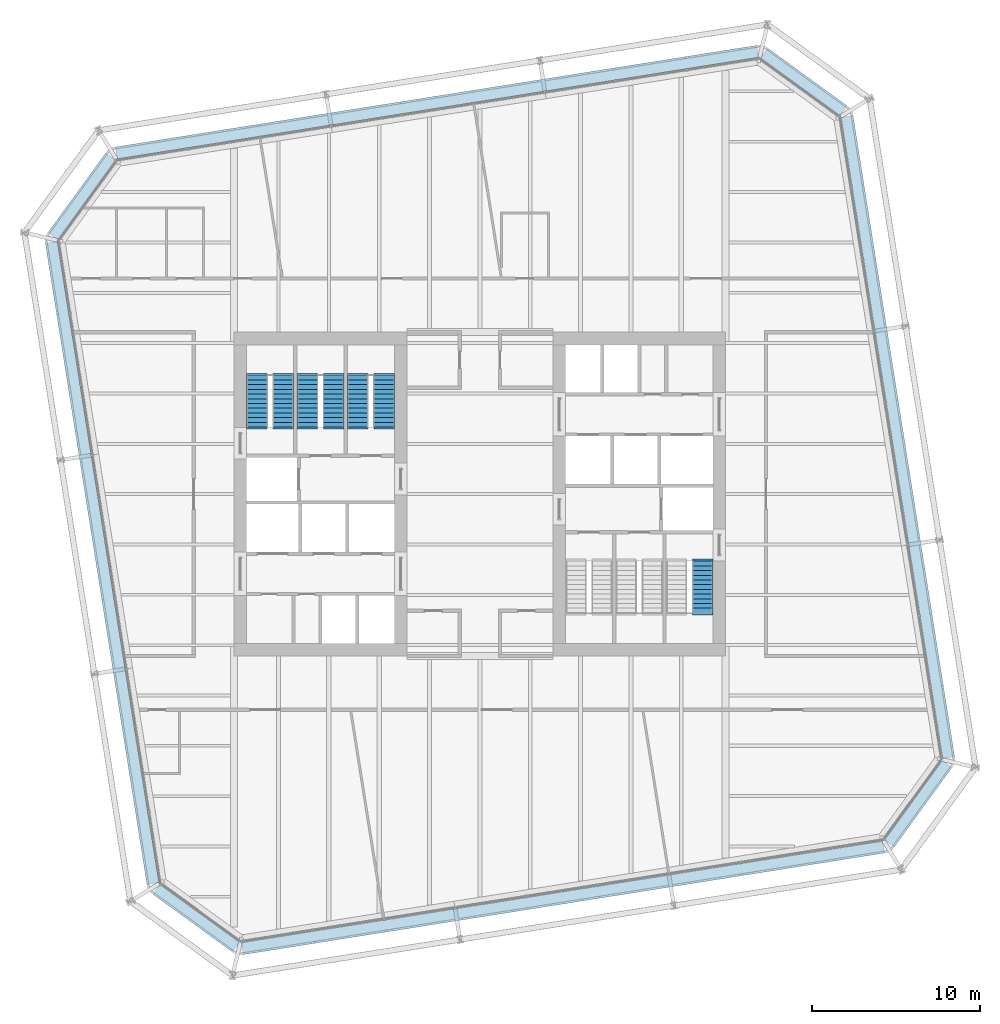
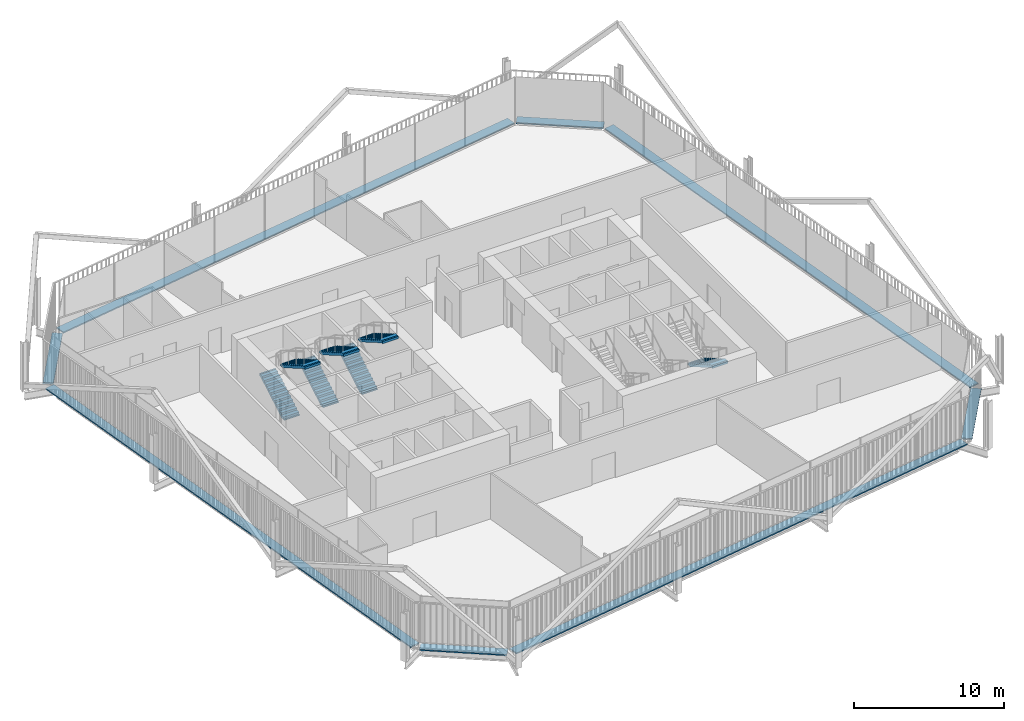
# One storey, part 21 of 22: 8 discrete accessories, 7 stair flights, 4 elements without a shape of their own.
"""IFC4 building model written with IfcOpenShell, lengths in metres."""

import ifcopenshell
import ifcopenshell.guid

model = None  # the IFC model being written
_history = None  # IfcOwnerHistory: only IFC2X3 demands one
_inside = {}  # id of a spatial element -> (the spatial element, [elements in it])
_under = {}  # id of a project, library or spatial element -> (it, [spatial elements below it])
_declared = {}  # id of a project -> (the project, [libraries it declares])
_typed = {}  # id of a type object -> (the type object, [elements of that type])
_made_of = {}  # id of a material, layer set ... -> (it, [elements and type objects made of it])


def new_model(schema):
    """Start an empty IFC model of exactly this schema.

    Asked for "IFC4X3", IfcOpenShell would pick the latest addendum, in which some entities
    have other attributes; the version numbers below select the first issue.
    IFC2X3 requires an IfcOwnerHistory on every rooted entity: one is made here for all.
    """
    global model, _history
    if schema == "IFC4X3":
        model = ifcopenshell.file(schema_version=(4, 3, 0, 0))
    else:
        model = ifcopenshell.file(schema=schema)
    _inside.clear()
    _under.clear()
    _declared.clear()
    _typed.clear()
    _made_of.clear()
    _history = None
    if model.schema == "IFC2X3":
        org = make("IfcOrganization", Name="unknown")
        user = make(
            "IfcPersonAndOrganization",
            ThePerson=make("IfcPerson", FamilyName="unknown"),
            TheOrganization=org,
        )
        app = make(
            "IfcApplication",
            ApplicationDeveloper=org,
            Version="unknown",
            ApplicationFullName="unknown",
            ApplicationIdentifier="unknown",
        )
        _history = make(
            "IfcOwnerHistory",
            OwningUser=user,
            OwningApplication=app,
            ChangeAction="ADDED",
            CreationDate=0,
        )
    return model


def make(cls, **values):
    """One entity of the class cls with the attributes given. An attribute that is None is left unset."""
    return model.create_entity(
        cls, **{name: value for name, value in values.items() if value is not None}
    )


def rooted(cls, **values):
    """An entity with a GlobalId (a new one), such as an element, a storey or a relation."""
    return make(cls, GlobalId=ifcopenshell.guid.new(), OwnerHistory=_history, **values)


def si_unit(unit_type, name, prefix=None):
    """IfcSIUnit, for example si_unit("LENGTHUNIT", "METRE", prefix="MILLI")."""
    return make("IfcSIUnit", UnitType=unit_type, Prefix=prefix, Name=name)


def assignment(units):
    """IfcUnitAssignment: the units of a project."""
    return None if units is None else make("IfcUnitAssignment", Units=units)


def point(xyz):
    """IfcCartesianPoint."""
    return None if xyz is None else make("IfcCartesianPoint", Coordinates=xyz)


def direction(xyz):
    """IfcDirection."""
    return None if xyz is None else make("IfcDirection", DirectionRatios=xyz)


def frame(location, z_axis=None, x_axis=None):
    """IfcAxis2Placement3D, a coordinate frame: its origin and axes. An axis left out is left unset."""
    return make(
        "IfcAxis2Placement3D",
        Location=point(location),
        Axis=direction(z_axis),
        RefDirection=direction(x_axis),
    )


def frame_2d(location, x_axis=None):
    """IfcAxis2Placement2D, a coordinate frame in the plane: its origin and x axis."""
    return make(
        "IfcAxis2Placement2D", Location=point(location), RefDirection=direction(x_axis)
    )


def origin():
    """The frame at (0, 0, 0) with its axes left unset."""
    return frame((0.0, 0.0, 0.0))


def origin_2d():
    """The frame at (0, 0) in the plane with its x axis left unset."""
    return frame_2d((0.0, 0.0))


def place(relative_to, where):
    """IfcLocalPlacement: puts the frame where relative to a parent placement (None: the world)."""
    return make(
        "IfcLocalPlacement", PlacementRelTo=relative_to, RelativePlacement=where
    )


def context(
    kind, dimensions, precision=None, world=None, true_north=None, identifier=None
):
    """IfcGeometricRepresentationContext, for example the 3D "Model" context."""
    return make(
        "IfcGeometricRepresentationContext",
        ContextIdentifier=identifier,
        ContextType=kind,
        CoordinateSpaceDimension=dimensions,
        Precision=precision,
        WorldCoordinateSystem=world,
        TrueNorth=true_north,
    )


def subcontext(parent, identifier, kind, view, scale=None):
    """IfcGeometricRepresentationSubContext, for example "Body" below "Model"."""
    return make(
        "IfcGeometricRepresentationSubContext",
        ContextIdentifier=identifier,
        ContextType=kind,
        ParentContext=parent,
        TargetScale=scale,
        TargetView=view,
    )


def project(units=None, contexts=None):
    """IfcProject with its units and contexts."""
    return rooted(
        "IfcProject",
        Name="project",
        RepresentationContexts=contexts,
        UnitsInContext=assignment(units),
    )


def spatial(cls, under=None, at=None, **own):
    """A site, building, storey or space (cls), placed at a placement, below another one or the project."""
    s = rooted(cls, ObjectPlacement=at, **own)
    if under is not None:
        _under.setdefault(under.id(), (under, []))[1].append(s)
    return s


def polyline(points):
    """IfcPolyline through the points."""
    return make("IfcPolyline", Points=[point(p) for p in points])


def profile(cls, at=None, kind="AREA", **sizes):
    """A parametric profile (cls). Its sizes go by their IFC names, for example OverallWidth=200.0."""
    return make(cls, ProfileType=kind, Position=at, **sizes)


def rectangle(**sizes):
    """IfcRectangleProfileDef."""
    return profile("IfcRectangleProfileDef", **sizes)


def outline(outer, holes=None, kind="AREA"):
    """IfcArbitraryClosedProfileDef: a profile drawn as a closed curve; with holes, ...WithVoids."""
    if holes is None:
        return make("IfcArbitraryClosedProfileDef", ProfileType=kind, OuterCurve=outer)
    return make(
        "IfcArbitraryProfileDefWithVoids",
        ProfileType=kind,
        OuterCurve=outer,
        InnerCurves=holes,
    )


def extrude(swept, where, along, depth):
    """IfcExtrudedAreaSolid: the profile swept, set in the frame where, extruded along a direction by depth."""
    return make(
        "IfcExtrudedAreaSolid",
        SweptArea=swept,
        Position=where,
        ExtrudedDirection=direction(along),
        Depth=depth,
    )


def shape(context_of_items, identifier, shape_type, items):
    """IfcShapeRepresentation: the items that make up one representation, for example the "Body"."""
    return make(
        "IfcShapeRepresentation",
        ContextOfItems=context_of_items,
        RepresentationIdentifier=identifier,
        RepresentationType=shape_type,
        Items=items,
    )


def material(Name=None, Category=None):
    """IfcMaterial."""
    return make("IfcMaterial", Name=Name, Category=Category)


def made_of(thing, what):
    """Note that an element or type object is made of a material, layer set ...; save() writes the relation."""
    if what is not None:
        _made_of.setdefault(what.id(), (what, []))[1].append(thing)
    return thing


def type_object(cls, material=None, **own):
    """A type object (cls), such as IfcWallType, which elements share."""
    return made_of(rooted(cls, **own), material)


def element(
    cls,
    number,
    at=None,
    inside=None,
    cuts=None,
    type_object=None,
    material=None,
    context=None,
    identifier="Body",
    shape_type=None,
    held_by="IfcProductDefinitionShape",
    body=None,
    shapes=None,
    **own,
):
    """One element of the class cls, such as IfcWall. Its Tag is "e" and its number.

    at: its placement. inside: the storey or other place that contains it. cuts: it is an
    opening in that element (IfcRelVoidsElement). A single representation is given by context,
    identifier, shape_type and body (its items); several are given by shapes. held_by: the class
    of the entity that holds the representations. save() writes the other relations.
    """
    e = rooted(cls, Tag="e%d" % number, ObjectPlacement=at, **own)
    if body is not None:
        shapes = [shape(context, identifier, shape_type, body)]
    if shapes is not None:
        e.Representation = make(held_by, Representations=shapes)
    if inside is not None:
        _inside.setdefault(inside.id(), (inside, []))[1].append(e)
    if cuts is not None:
        rooted(
            "IfcRelVoidsElement", RelatingBuildingElement=cuts, RelatedOpeningElement=e
        )
    if type_object is not None:
        _typed.setdefault(type_object.id(), (type_object, []))[1].append(e)
    return made_of(e, material)


def aggregate(whole, parts):
    """IfcRelAggregates: a whole, such as a stair, and the parts it consists of."""
    return rooted("IfcRelAggregates", RelatingObject=whole, RelatedObjects=parts)


def save(model, path):
    """Write the relations noted so far, then the file.

    IfcRelAggregates (storeys below a building ...), IfcRelContainedInSpatialStructure (elements
    in a storey), IfcRelDefinesByType, IfcRelAssociatesMaterial and IfcRelDeclares: one each for
    every whole, place, type object, material and project.
    """
    for whole, parts in _under.values():
        aggregate(whole, parts)
    for where, things in _inside.values():
        rooted(
            "IfcRelContainedInSpatialStructure",
            RelatedElements=things,
            RelatingStructure=where,
        )
    for kind, things in _typed.values():
        rooted("IfcRelDefinesByType", RelatedObjects=things, RelatingType=kind)
    for what, things in _made_of.values():
        rooted("IfcRelAssociatesMaterial", RelatedObjects=things, RelatingMaterial=what)
    for by, libraries in _declared.values():
        rooted("IfcRelDeclares", RelatingContext=by, RelatedDefinitions=libraries)
    model.write(path)


model = new_model("IFC4")

# Units and contexts
model_context = context("Model", 3, precision=1e-05, world=origin(), true_north=direction((0.0, 1.0)))
body_context = subcontext(model_context, "Body", "Model", "MODEL_VIEW")
ifc_project = project(units=[si_unit("LENGTHUNIT", "METRE"), si_unit("AREAUNIT", "SQUARE_METRE"), si_unit("VOLUMEUNIT", "CUBIC_METRE"), si_unit("PLANEANGLEUNIT", "RADIAN"), si_unit("MASSUNIT", "GRAM", prefix="KILO")], contexts=[model_context])

# Site, building, storey
site_placement = place(None, origin())
site = spatial("IfcSite", under=ifc_project, at=site_placement, CompositionType="ELEMENT")
building_placement = place(site_placement, origin())
building = spatial("IfcBuilding", under=site, at=building_placement, Name="Millrace Tower", CompositionType="ELEMENT")
storey_placement = place(building_placement, frame((0.0, 0.0, 137.300048828125)))
storey = spatial("IfcBuildingStorey", under=building, at=storey_placement, Name="L30", CompositionType="ELEMENT", Elevation=137.300048828125)

# Stair, stair flights
ifc_material_1 = material(Name="Concrete C35", Category="concrete")
stair_type = type_object("IfcStairType", Name="Exit stair", PredefinedType="HALF_TURN_STAIR", material=ifc_material_1)
placement = place(storey_placement, origin())
stair_1 = element("IfcStair", 1, at=placement, inside=storey, type_object=stair_type, Name="Stair 1 W L30", PredefinedType="HALF_TURN_STAIR")
ifc_material_2 = material(Name="Concrete C35", Category="concrete")
stair_flight_type = type_object("IfcStairFlightType", Name="Exit stair flight", PredefinedType="STRAIGHT", material=ifc_material_2)
stair_flight_1_placement = place(storey_placement, frame((-13.2900390625, 4.0, 0.0), z_axis=(0.0, 0.0, 1.0), x_axis=(0.0, 1.0, 0.0)))
stair_flight_1 = element("IfcStairFlight", 2, at=stair_flight_1_placement, type_object=stair_flight_type, Name="ST12 flight 1", NumberOfRisers=12, NumberOfTreads=11, PredefinedType="STRAIGHT", RiserHeight=0.1625, TreadLength=0.28, context=body_context, shape_type="SweptSolid", body=[
    extrude(outline(polyline([(-0.1201171875, -0.0400390625), (-0.1201171875, 0.0), (0.0, 0.0), (0.0, 0.16259765625), (0.280029296875, 0.16259765625), (0.280029296875, 0.324951171875), (0.56005859375, 0.324951171875), (0.56005859375, 0.487548828125), (0.840087890625, 0.487548828125), (0.840087890625, 0.64990234375), (1.1201171875, 0.64990234375), (1.1201171875, 0.8125), (1.39990234375, 0.8125), (1.39990234375, 0.97509765625), (1.679931640625, 0.97509765625), (1.679931640625, 1.137451171875), (1.9599609375, 1.137451171875), (1.9599609375, 1.300048828125), (2.239990234375, 1.300048828125), (2.239990234375, 1.46240234375), (2.52001953125, 1.46240234375), (2.52001953125, 1.625), (2.800048828125, 1.625), (2.800048828125, 1.78759765625), (3.080078125, 1.78759765625), (3.080078125, 1.8076171875), (3.199951171875, 1.8076171875), (3.199951171875, 1.6142578125), (3.080078125, 1.6142578125), (0.298583984375, 0.0), (0.298583984375, -0.0400390625), (-0.1201171875, -0.0400390625)])), frame((0.0, 0.60986328125, 0.0), z_axis=(0.0, -1.0, 0.0), x_axis=(1.0, 0.0, 0.0)), (0.0, 0.0, 1.0), 1.219970703125),
])
stair_flight_2_placement = place(storey_placement, frame((-11.7099609375, 7.080078125, 1.949951171875), z_axis=(0.0, 0.0, 1.0), x_axis=(0.0, -1.0, 0.0)))
stair_flight_2 = element("IfcStairFlight", 3, at=stair_flight_2_placement, type_object=stair_flight_type, Name="ST12 flight 2", NumberOfRisers=12, NumberOfTreads=11, PredefinedType="STRAIGHT", RiserHeight=0.1625, TreadLength=0.28, context=body_context, shape_type="SweptSolid", body=[
    extrude(outline(polyline([(-0.1201171875, -0.0400390625), (-0.1201171875, 0.0), (0.0, 0.0), (0.0, 0.16259765625), (0.280029296875, 0.16259765625), (0.280029296875, 0.324951171875), (0.56005859375, 0.324951171875), (0.56005859375, 0.487548828125), (0.840087890625, 0.487548828125), (0.840087890625, 0.64990234375), (1.1201171875, 0.64990234375), (1.1201171875, 0.8125), (1.39990234375, 0.8125), (1.39990234375, 0.97509765625), (1.679931640625, 0.97509765625), (1.679931640625, 1.137451171875), (1.9599609375, 1.137451171875), (1.9599609375, 1.300048828125), (2.239990234375, 1.300048828125), (2.239990234375, 1.46240234375), (2.52001953125, 1.46240234375), (2.52001953125, 1.625), (2.800048828125, 1.625), (2.800048828125, 1.78759765625), (3.080078125, 1.78759765625), (3.080078125, 1.8076171875), (3.199951171875, 1.8076171875), (3.199951171875, 1.6142578125), (3.080078125, 1.6142578125), (0.298583984375, 0.0), (0.298583984375, -0.0400390625), (-0.1201171875, -0.0400390625)])), frame((0.0, 0.60986328125, 0.0), z_axis=(0.0, -1.0, 0.0), x_axis=(1.0, 0.0, 0.0)), (0.0, 0.0, 1.0), 1.219970703125),
])
aggregate(stair_1, [stair_flight_1, stair_flight_2])

stair_2 = element("IfcStair", 4, at=placement, inside=storey, type_object=stair_type, Name="Stair 2 W L30", PredefinedType="HALF_TURN_STAIR")
stair_flight_3_placement = place(storey_placement, frame((-10.2900390625, 4.0, 0.0), z_axis=(0.0, 0.0, 1.0), x_axis=(0.0, 1.0, 0.0)))
stair_flight_3 = element("IfcStairFlight", 5, at=stair_flight_3_placement, type_object=stair_flight_type, Name="ST12 flight 1", NumberOfRisers=12, NumberOfTreads=11, PredefinedType="STRAIGHT", RiserHeight=0.1625, TreadLength=0.28, context=body_context, shape_type="SweptSolid", body=[
    extrude(outline(polyline([(-0.1201171875, -0.0400390625), (-0.1201171875, 0.0), (0.0, 0.0), (0.0, 0.16259765625), (0.280029296875, 0.16259765625), (0.280029296875, 0.324951171875), (0.56005859375, 0.324951171875), (0.56005859375, 0.487548828125), (0.840087890625, 0.487548828125), (0.840087890625, 0.64990234375), (1.1201171875, 0.64990234375), (1.1201171875, 0.8125), (1.39990234375, 0.8125), (1.39990234375, 0.97509765625), (1.679931640625, 0.97509765625), (1.679931640625, 1.137451171875), (1.9599609375, 1.137451171875), (1.9599609375, 1.300048828125), (2.239990234375, 1.300048828125), (2.239990234375, 1.46240234375), (2.52001953125, 1.46240234375), (2.52001953125, 1.625), (2.800048828125, 1.625), (2.800048828125, 1.78759765625), (3.080078125, 1.78759765625), (3.080078125, 1.8076171875), (3.199951171875, 1.8076171875), (3.199951171875, 1.6142578125), (3.080078125, 1.6142578125), (0.298583984375, 0.0), (0.298583984375, -0.0400390625), (-0.1201171875, -0.0400390625)])), frame((0.0, 0.60986328125, 0.0), z_axis=(0.0, -1.0, 0.0), x_axis=(1.0, 0.0, 0.0)), (0.0, 0.0, 1.0), 1.219970703125),
])
stair_flight_4_placement = place(storey_placement, frame((-8.7099609375, 7.080078125, 1.949951171875), z_axis=(0.0, 0.0, 1.0), x_axis=(0.0, -1.0, 0.0)))
stair_flight_4 = element("IfcStairFlight", 6, at=stair_flight_4_placement, type_object=stair_flight_type, Name="ST12 flight 2", NumberOfRisers=12, NumberOfTreads=11, PredefinedType="STRAIGHT", RiserHeight=0.1625, TreadLength=0.28, context=body_context, shape_type="SweptSolid", body=[
    extrude(outline(polyline([(-0.1201171875, -0.0400390625), (-0.1201171875, 0.0), (0.0, 0.0), (0.0, 0.16259765625), (0.280029296875, 0.16259765625), (0.280029296875, 0.324951171875), (0.56005859375, 0.324951171875), (0.56005859375, 0.487548828125), (0.840087890625, 0.487548828125), (0.840087890625, 0.64990234375), (1.1201171875, 0.64990234375), (1.1201171875, 0.8125), (1.39990234375, 0.8125), (1.39990234375, 0.97509765625), (1.679931640625, 0.97509765625), (1.679931640625, 1.137451171875), (1.9599609375, 1.137451171875), (1.9599609375, 1.300048828125), (2.239990234375, 1.300048828125), (2.239990234375, 1.46240234375), (2.52001953125, 1.46240234375), (2.52001953125, 1.625), (2.800048828125, 1.625), (2.800048828125, 1.78759765625), (3.080078125, 1.78759765625), (3.080078125, 1.8076171875), (3.199951171875, 1.8076171875), (3.199951171875, 1.6142578125), (3.080078125, 1.6142578125), (0.298583984375, 0.0), (0.298583984375, -0.0400390625), (-0.1201171875, -0.0400390625)])), frame((0.0, 0.60986328125, 0.0), z_axis=(0.0, -1.0, 0.0), x_axis=(1.0, 0.0, 0.0)), (0.0, 0.0, 1.0), 1.219970703125),
])
aggregate(stair_2, [stair_flight_3, stair_flight_4])

stair_3 = element("IfcStair", 7, at=placement, inside=storey, type_object=stair_type, Name="Stair 3 W L30", PredefinedType="HALF_TURN_STAIR")
stair_flight_5_placement = place(storey_placement, frame((-7.2900390625, 4.0, 0.0), z_axis=(0.0, 0.0, 1.0), x_axis=(0.0, 1.0, 0.0)))
stair_flight_5 = element("IfcStairFlight", 8, at=stair_flight_5_placement, type_object=stair_flight_type, Name="ST12 flight 1", NumberOfRisers=12, NumberOfTreads=11, PredefinedType="STRAIGHT", RiserHeight=0.1625, TreadLength=0.28, context=body_context, shape_type="SweptSolid", body=[
    extrude(outline(polyline([(-0.1201171875, -0.0400390625), (-0.1201171875, 0.0), (0.0, 0.0), (0.0, 0.16259765625), (0.280029296875, 0.16259765625), (0.280029296875, 0.324951171875), (0.56005859375, 0.324951171875), (0.56005859375, 0.487548828125), (0.840087890625, 0.487548828125), (0.840087890625, 0.64990234375), (1.1201171875, 0.64990234375), (1.1201171875, 0.8125), (1.39990234375, 0.8125), (1.39990234375, 0.97509765625), (1.679931640625, 0.97509765625), (1.679931640625, 1.137451171875), (1.9599609375, 1.137451171875), (1.9599609375, 1.300048828125), (2.239990234375, 1.300048828125), (2.239990234375, 1.46240234375), (2.52001953125, 1.46240234375), (2.52001953125, 1.625), (2.800048828125, 1.625), (2.800048828125, 1.78759765625), (3.080078125, 1.78759765625), (3.080078125, 1.8076171875), (3.199951171875, 1.8076171875), (3.199951171875, 1.6142578125), (3.080078125, 1.6142578125), (0.298583984375, 0.0), (0.298583984375, -0.0400390625), (-0.1201171875, -0.0400390625)])), frame((0.0, 0.60986328125, 0.0), z_axis=(0.0, -1.0, 0.0), x_axis=(1.0, 0.0, 0.0)), (0.0, 0.0, 1.0), 1.219970703125),
])
stair_flight_6_placement = place(storey_placement, frame((-5.7099609375, 7.080078125, 1.949951171875), z_axis=(0.0, 0.0, 1.0), x_axis=(0.0, -1.0, 0.0)))
stair_flight_6 = element("IfcStairFlight", 9, at=stair_flight_6_placement, type_object=stair_flight_type, Name="ST12 flight 2", NumberOfRisers=12, NumberOfTreads=11, PredefinedType="STRAIGHT", RiserHeight=0.1625, TreadLength=0.28, context=body_context, shape_type="SweptSolid", body=[
    extrude(outline(polyline([(-0.1201171875, -0.0400390625), (-0.1201171875, 0.0), (0.0, 0.0), (0.0, 0.16259765625), (0.280029296875, 0.16259765625), (0.280029296875, 0.324951171875), (0.56005859375, 0.324951171875), (0.56005859375, 0.487548828125), (0.840087890625, 0.487548828125), (0.840087890625, 0.64990234375), (1.1201171875, 0.64990234375), (1.1201171875, 0.8125), (1.39990234375, 0.8125), (1.39990234375, 0.97509765625), (1.679931640625, 0.97509765625), (1.679931640625, 1.137451171875), (1.9599609375, 1.137451171875), (1.9599609375, 1.300048828125), (2.239990234375, 1.300048828125), (2.239990234375, 1.46240234375), (2.52001953125, 1.46240234375), (2.52001953125, 1.625), (2.800048828125, 1.625), (2.800048828125, 1.78759765625), (3.080078125, 1.78759765625), (3.080078125, 1.8076171875), (3.199951171875, 1.8076171875), (3.199951171875, 1.6142578125), (3.080078125, 1.6142578125), (0.298583984375, 0.0), (0.298583984375, -0.0400390625), (-0.1201171875, -0.0400390625)])), frame((0.0, 0.60986328125, 0.0), z_axis=(0.0, -1.0, 0.0), x_axis=(1.0, 0.0, 0.0)), (0.0, 0.0, 1.0), 1.219970703125),
])
aggregate(stair_3, [stair_flight_5, stair_flight_6])

# Stair, stair flight
stair_4 = element("IfcStair", 10, at=placement, inside=storey, type_object=stair_type, Name="Stair 1 E L30", PredefinedType="HALF_TURN_STAIR")
stair_flight_7_placement = place(storey_placement, frame((13.2900390625, -4.0, 0.0), z_axis=(0.0, 0.0, 1.0), x_axis=(0.0, -1.0, 0.0)))
stair_flight_7 = element("IfcStairFlight", 11, at=stair_flight_7_placement, type_object=stair_flight_type, Name="ST12 flight 1", NumberOfRisers=12, NumberOfTreads=11, PredefinedType="STRAIGHT", RiserHeight=0.1625, TreadLength=0.28, context=body_context, shape_type="SweptSolid", body=[
    extrude(outline(polyline([(-0.1201171875, -0.0400390625), (-0.1201171875, 0.0), (0.0, 0.0), (0.0, 0.16259765625), (0.280029296875, 0.16259765625), (0.280029296875, 0.324951171875), (0.56005859375, 0.324951171875), (0.56005859375, 0.487548828125), (0.840087890625, 0.487548828125), (0.840087890625, 0.64990234375), (1.1201171875, 0.64990234375), (1.1201171875, 0.8125), (1.39990234375, 0.8125), (1.39990234375, 0.97509765625), (1.679931640625, 0.97509765625), (1.679931640625, 1.137451171875), (1.9599609375, 1.137451171875), (1.9599609375, 1.300048828125), (2.239990234375, 1.300048828125), (2.239990234375, 1.46240234375), (2.52001953125, 1.46240234375), (2.52001953125, 1.625), (2.800048828125, 1.625), (2.800048828125, 1.78759765625), (3.080078125, 1.78759765625), (3.080078125, 1.8076171875), (3.199951171875, 1.8076171875), (3.199951171875, 1.6142578125), (3.080078125, 1.6142578125), (0.298583984375, 0.0), (0.298583984375, -0.0400390625), (-0.1201171875, -0.0400390625)])), frame((0.0, 0.60986328125, 0.0), z_axis=(0.0, -1.0, 0.0), x_axis=(1.0, 0.0, 0.0)), (0.0, 0.0, 1.0), 1.219970703125),
])
aggregate(stair_4, [stair_flight_7])

# Discrete accessories
ifc_material_3 = material(Name="Stainless steel ASTM A240 type 316", Category="steel")
discrete_accessory_type = type_object("IfcDiscreteAccessoryType", Name="Thermally broken screen support rail", PredefinedType="BRACKET", material=ifc_material_3)
discrete_accessory_1_placement = place(storey_placement, frame((-16.909423828125, -25.275390625, 0.0), z_axis=(0.0, 0.0, 1.0), x_axis=(0.809016981623, -0.587785269844, 0.0)))
element("IfcDiscreteAccessory", 12, at=discrete_accessory_1_placement, inside=storey, type_object=discrete_accessory_type, Name="Thermally broken screen support rail C-F01 L30 1", PredefinedType="BRACKET", context=body_context, shape_type="SweptSolid", body=[
    extrude(rectangle(XDim=5.868896484375, YDim=0.719970703125, at=origin_2d()), origin(), (0.0, 0.0, 1.0), 0.10009765625),
])
discrete_accessory_2_placement = place(storey_placement, frame((4.9560546875, -24.064453125, 0.0), z_axis=(0.0, 0.0, 1.0), x_axis=(0.98768833929, 0.15643447328, 0.0)))
element("IfcDiscreteAccessory", 13, at=discrete_accessory_2_placement, inside=storey, type_object=discrete_accessory_type, Name="Thermally broken screen support rail C-F02 L30 1", PredefinedType="BRACKET", context=body_context, shape_type="SweptSolid", body=[
    extrude(rectangle(XDim=38.699951171875, YDim=0.719970703125, at=origin_2d()), origin(), (0.0, 0.0, 1.0), 0.10009765625),
])
discrete_accessory_3_placement = place(storey_placement, frame((26.12548828125, -18.45947265625, 0.0), z_axis=(0.0, 0.0, 1.0), x_axis=(0.587785269844, 0.809016981623, 0.0)))
element("IfcDiscreteAccessory", 14, at=discrete_accessory_3_placement, inside=storey, type_object=discrete_accessory_type, Name="Thermally broken screen support rail C-F03 L30 1", PredefinedType="BRACKET", context=body_context, shape_type="SweptSolid", body=[
    extrude(rectangle(XDim=5.868896484375, YDim=0.719970703125, at=origin_2d()), origin(), (0.0, 0.0, 1.0), 0.10009765625),
])
discrete_accessory_4_placement = place(storey_placement, frame((24.914306640625, 3.406005859375, 0.0), z_axis=(0.0, 0.0, 1.0), x_axis=(-0.15643447328, 0.98768833929, 0.0)))
element("IfcDiscreteAccessory", 15, at=discrete_accessory_4_placement, inside=storey, type_object=discrete_accessory_type, Name="Thermally broken screen support rail C-F04 L30 1", PredefinedType="BRACKET", context=body_context, shape_type="SweptSolid", body=[
    extrude(rectangle(XDim=38.699951171875, YDim=0.719970703125, at=origin_2d()), origin(), (0.0, 0.0, 1.0), 0.10009765625),
])
discrete_accessory_5_placement = place(storey_placement, frame((19.309326171875, 24.575439453125, 0.0), z_axis=(0.0, 0.0, 1.0), x_axis=(-0.809016981623, 0.587785269844, 0.0)))
element("IfcDiscreteAccessory", 16, at=discrete_accessory_5_placement, inside=storey, type_object=discrete_accessory_type, Name="Thermally broken screen support rail C-F05 L30 1", PredefinedType="BRACKET", context=body_context, shape_type="SweptSolid", body=[
    extrude(rectangle(XDim=5.868896484375, YDim=0.719970703125, at=origin_2d()), origin(), (0.0, 0.0, 1.0), 0.10009765625),
])
discrete_accessory_6_placement = place(storey_placement, frame((-2.555908203125, 23.364501953125, 0.0), z_axis=(0.0, 0.0, 1.0), x_axis=(-0.98768833929, -0.15643447328, 0.0)))
element("IfcDiscreteAccessory", 17, at=discrete_accessory_6_placement, inside=storey, type_object=discrete_accessory_type, Name="Thermally broken screen support rail C-F06 L30 1", PredefinedType="BRACKET", context=body_context, shape_type="SweptSolid", body=[
    extrude(rectangle(XDim=38.699951171875, YDim=0.719970703125, at=origin_2d()), origin(), (0.0, 0.0, 1.0), 0.10009765625),
])
discrete_accessory_7_placement = place(storey_placement, frame((-23.725341796875, 17.75927734375, 0.0), z_axis=(0.0, 0.0, 1.0), x_axis=(-0.587785269844, -0.809016981623, 0.0)))
element("IfcDiscreteAccessory", 18, at=discrete_accessory_7_placement, inside=storey, type_object=discrete_accessory_type, Name="Thermally broken screen support rail C-F07 L30 1", PredefinedType="BRACKET", context=body_context, shape_type="SweptSolid", body=[
    extrude(rectangle(XDim=5.868896484375, YDim=0.719970703125, at=origin_2d()), origin(), (0.0, 0.0, 1.0), 0.10009765625),
])
discrete_accessory_8_placement = place(storey_placement, frame((-22.514404296875, -4.10595703125, 0.0), z_axis=(0.0, 0.0, 1.0), x_axis=(0.15643447328, -0.98768833929, 0.0)))
element("IfcDiscreteAccessory", 19, at=discrete_accessory_8_placement, inside=storey, type_object=discrete_accessory_type, Name="Thermally broken screen support rail C-F08 L30 1", PredefinedType="BRACKET", context=body_context, shape_type="SweptSolid", body=[
    extrude(rectangle(XDim=38.699951171875, YDim=0.719970703125, at=origin_2d()), origin(), (0.0, 0.0, 1.0), 0.10009765625),
])

save(model, "model.ifc")
